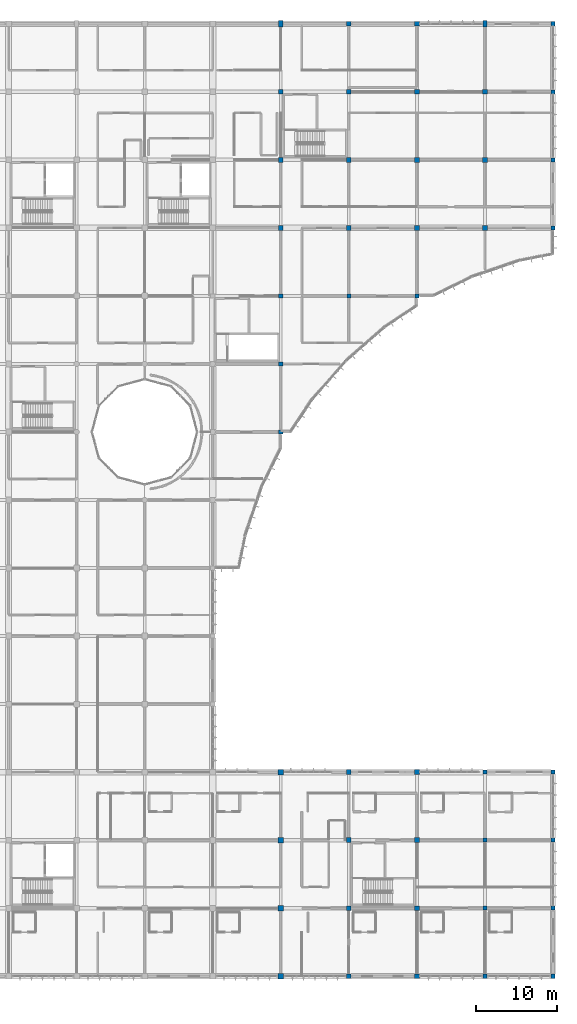
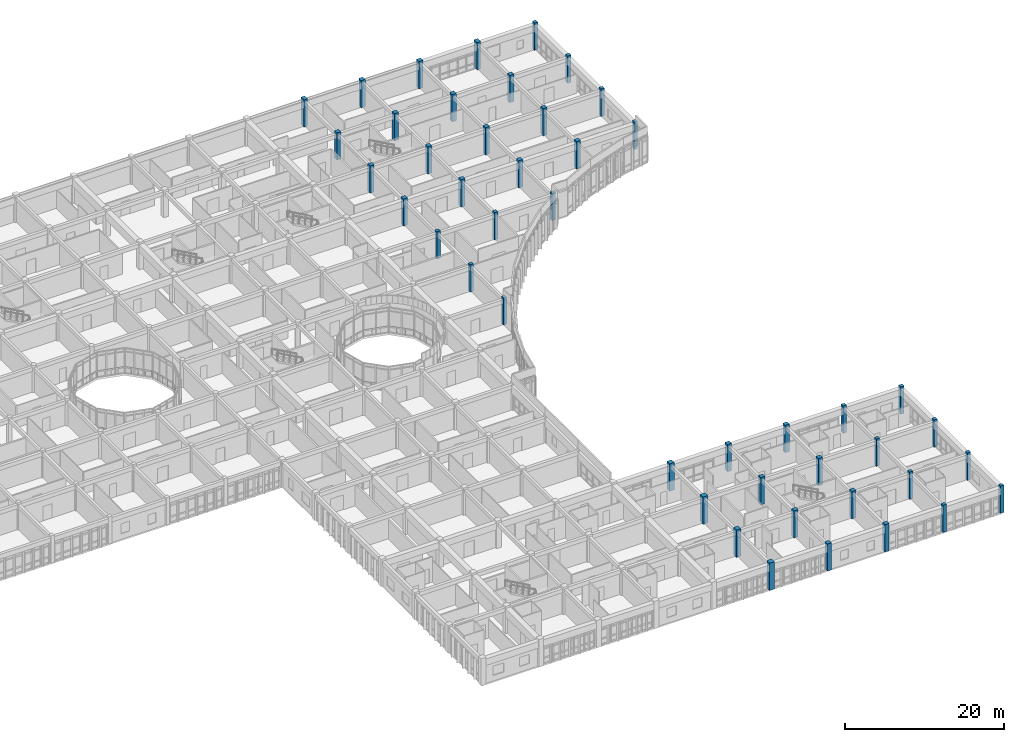
# One storey, part 2 of 119: 45 columns.
"""IFC4 building model written with IfcOpenShell, lengths in metres."""

from ifc_helpers import new_model, si_unit, direction, frame, origin, origin_2d, place, context, subcontext, project, spatial, rectangle, extrude, material, material_profile, profile_set, type_object, element, save


model = new_model("IFC4")

# Units and contexts
model_context = context("Model", 3, precision=1e-05, world=origin(), true_north=direction((0.0, 1.0)))
body_context = subcontext(model_context, "Body", "Model", "MODEL_VIEW")
ifc_project = project(units=[si_unit("LENGTHUNIT", "METRE"), si_unit("AREAUNIT", "SQUARE_METRE"), si_unit("VOLUMEUNIT", "CUBIC_METRE"), si_unit("PLANEANGLEUNIT", "RADIAN"), si_unit("MASSUNIT", "GRAM", prefix="KILO")], contexts=[model_context])

# Site, building, storey
site_placement = place(None, origin())
site = spatial("IfcSite", under=ifc_project, at=site_placement, CompositionType="ELEMENT")
building_placement = place(site_placement, origin())
building = spatial("IfcBuilding", under=site, at=building_placement, Name="Bramfleet General Hospital", CompositionType="ELEMENT")
storey_placement = place(building_placement, frame((0.0, 0.0, 14.39990234375)))
storey = spatial("IfcBuildingStorey", under=building, at=storey_placement, Name="L03", CompositionType="ELEMENT", Elevation=14.39990234375)

# Columns
ifc_material = material(Name="Concrete C40/50", Category="concrete")
ifc_material_profile_1 = material_profile(ifc_material, rectangle(XDim=0.5, YDim=0.75, at=origin_2d()), Name="RC PIL 750x500")
ifc_profile_set_1 = profile_set([ifc_material_profile_1], Name="Concrete C40/50")
column_type_1 = type_object("IfcColumnType", Name="COL-PIL750", PredefinedType="PILASTER", material=ifc_profile_set_1)
for number, where, z_axis, x_axis, name in (
    (1, (134.39990234375, 117.60009765625, 0.0), (0.0, 0.0, 1.0), (1.0, 0.0, 0.0), "Column COL-L03-16-14"),
    (2, (159.60009765625, 117.60009765625, 0.0), (0.0, 0.0, 1.0), (1.0, 0.0, 0.0), "Column COL-L03-19-14"),
):
    element("IfcColumn", number, at=place(storey_placement, frame(where, z_axis=z_axis, x_axis=x_axis)), inside=storey, type_object=column_type_1, Name=name, PredefinedType="PILASTER", context=body_context, shape_type="SweptSolid", body=[
        extrude(rectangle(XDim=0.5, YDim=0.75, at=origin_2d()), origin(), (0.0, 0.0, 1.0), 4.2001953125),
    ])
ifc_material_profile_2 = material_profile(ifc_material, rectangle(XDim=0.5, YDim=0.5, at=origin_2d()), Name="RC COL 500x500")
ifc_profile_set_2 = profile_set([ifc_material_profile_2], Name="Concrete C40/50")
column_type_2 = type_object("IfcColumnType", Name="COL-RC500", PredefinedType="COLUMN", material=ifc_profile_set_2)
for number, where, z_axis, x_axis, name in (
    (3, (134.39990234375, 67.199951171875, 0.0), (0.0, 0.0, 1.0), (1.0, 0.0, 0.0), "Column COL-L03-16-08"),
    (4, (134.39990234375, 75.60009765625, 0.0), (0.0, 0.0, 1.0), (1.0, 0.0, 0.0), "Column COL-L03-16-09"),
    (5, (134.39990234375, 84.0, 0.0), (0.0, 0.0, 1.0), (1.0, 0.0, 0.0), "Column COL-L03-16-10"),
    (6, (142.800048828125, 84.0, 0.0), (0.0, 0.0, 1.0), (1.0, 0.0, 0.0), "Column COL-L03-17-10"),
    (7, (151.199951171875, 84.0, 0.0), (0.0, 0.0, 1.0), (1.0, 0.0, 0.0), "Column COL-L03-18-10"),
    (8, (159.60009765625, 0.0, 0.0), (0.0, 0.0, 1.0), (1.0, 0.0, 0.0), "Column COL-L03-19-00"),
    (9, (159.60009765625, 8.39990234375, 0.0), (0.0, 0.0, 1.0), (1.0, 0.0, 0.0), "Column COL-L03-19-01"),
    (10, (159.60009765625, 16.800048828125, 0.0), (0.0, 0.0, 1.0), (1.0, 0.0, 0.0), "Column COL-L03-19-02"),
    (11, (159.60009765625, 25.199951171875, 0.0), (0.0, 0.0, 1.0), (1.0, 0.0, 0.0), "Column COL-L03-19-03"),
    (12, (168.0, 0.0, 0.0), (0.0, 0.0, 1.0), (1.0, 0.0, 0.0), "Column COL-L03-20-00"),
    (13, (168.0, 8.39990234375, 0.0), (0.0, 0.0, 1.0), (1.0, 0.0, 0.0), "Column COL-L03-20-01"),
    (14, (168.0, 16.800048828125, 0.0), (0.0, 0.0, 1.0), (1.0, 0.0, 0.0), "Column COL-L03-20-02"),
    (15, (168.0, 25.199951171875, 0.0), (0.0, 0.0, 1.0), (1.0, 0.0, 0.0), "Column COL-L03-20-03"),
    (16, (168.0, 92.39990234375, 0.0), (0.0, 0.0, 1.0), (1.0, 0.0, 0.0), "Column COL-L03-20-11"),
    (17, (168.0, 100.800048828125, 0.0), (0.0, 0.0, 1.0), (1.0, 0.0, 0.0), "Column COL-L03-20-12"),
    (18, (168.0, 109.199951171875, 0.0), (0.0, 0.0, 1.0), (1.0, 0.0, 0.0), "Column COL-L03-20-13"),
    (19, (168.0, 117.60009765625, 0.0), (0.0, 0.0, 1.0), (1.0, 0.0, 0.0), "Column COL-L03-20-14"),
):
    element("IfcColumn", number, at=place(storey_placement, frame(where, z_axis=z_axis, x_axis=x_axis)), inside=storey, type_object=column_type_2, Name=name, PredefinedType="COLUMN", context=body_context, shape_type="SweptSolid", body=[
        extrude(rectangle(XDim=0.5, YDim=0.5, at=origin_2d()), origin(), (0.0, 0.0, 1.0), 4.2001953125),
    ])
ifc_material_profile_3 = material_profile(ifc_material, rectangle(XDim=0.60009765625, YDim=0.60009765625, at=origin_2d()), Name="RC COL 600x600")
ifc_profile_set_3 = profile_set([ifc_material_profile_3], Name="Concrete C40/50")
column_type_3 = type_object("IfcColumnType", Name="COL-RC600", PredefinedType="COLUMN", material=ifc_profile_set_3)
for number, where, z_axis, x_axis, name in (
    (20, (134.39990234375, 92.39990234375, 0.0), (0.0, 0.0, 1.0), (1.0, 0.0, 0.0), "Column COL-L03-16-11"),
    (21, (134.39990234375, 100.800048828125, 0.0), (0.0, 0.0, 1.0), (1.0, 0.0, 0.0), "Column COL-L03-16-12"),
    (22, (134.39990234375, 109.199951171875, 0.0), (0.0, 0.0, 1.0), (1.0, 0.0, 0.0), "Column COL-L03-16-13"),
    (23, (142.800048828125, 0.0, 0.0), (0.0, 0.0, 1.0), (1.0, 0.0, 0.0), "Column COL-L03-17-00"),
    (24, (142.800048828125, 8.39990234375, 0.0), (0.0, 0.0, 1.0), (1.0, 0.0, 0.0), "Column COL-L03-17-01"),
    (25, (142.800048828125, 16.800048828125, 0.0), (0.0, 0.0, 1.0), (1.0, 0.0, 0.0), "Column COL-L03-17-02"),
    (26, (142.800048828125, 25.199951171875, 0.0), (0.0, 0.0, 1.0), (1.0, 0.0, 0.0), "Column COL-L03-17-03"),
    (27, (142.800048828125, 92.39990234375, 0.0), (0.0, 0.0, 1.0), (1.0, 0.0, 0.0), "Column COL-L03-17-11"),
    (28, (142.800048828125, 100.800048828125, 0.0), (0.0, 0.0, 1.0), (1.0, 0.0, 0.0), "Column COL-L03-17-12"),
    (29, (142.800048828125, 109.199951171875, 0.0), (0.0, 0.0, 1.0), (1.0, 0.0, 0.0), "Column COL-L03-17-13"),
    (30, (142.800048828125, 117.60009765625, 0.0), (0.0, 0.0, 1.0), (1.0, 0.0, 0.0), "Column COL-L03-17-14"),
    (31, (151.199951171875, 0.0, 0.0), (0.0, 0.0, 1.0), (1.0, 0.0, 0.0), "Column COL-L03-18-00"),
    (32, (151.199951171875, 8.39990234375, 0.0), (0.0, 0.0, 1.0), (1.0, 0.0, 0.0), "Column COL-L03-18-01"),
    (33, (151.199951171875, 16.800048828125, 0.0), (0.0, 0.0, 1.0), (1.0, 0.0, 0.0), "Column COL-L03-18-02"),
    (34, (151.199951171875, 25.199951171875, 0.0), (0.0, 0.0, 1.0), (1.0, 0.0, 0.0), "Column COL-L03-18-03"),
    (35, (151.199951171875, 92.39990234375, 0.0), (0.0, 0.0, 1.0), (1.0, 0.0, 0.0), "Column COL-L03-18-11"),
    (36, (151.199951171875, 100.800048828125, 0.0), (0.0, 0.0, 1.0), (1.0, 0.0, 0.0), "Column COL-L03-18-12"),
    (37, (151.199951171875, 109.199951171875, 0.0), (0.0, 0.0, 1.0), (1.0, 0.0, 0.0), "Column COL-L03-18-13"),
    (38, (151.199951171875, 117.60009765625, 0.0), (0.0, 0.0, 1.0), (1.0, 0.0, 0.0), "Column COL-L03-18-14"),
    (39, (159.60009765625, 92.39990234375, 0.0), (0.0, 0.0, 1.0), (1.0, 0.0, 0.0), "Column COL-L03-19-11"),
    (40, (159.60009765625, 100.800048828125, 0.0), (0.0, 0.0, 1.0), (1.0, 0.0, 0.0), "Column COL-L03-19-12"),
    (41, (159.60009765625, 109.199951171875, 0.0), (0.0, 0.0, 1.0), (1.0, 0.0, 0.0), "Column COL-L03-19-13"),
):
    element("IfcColumn", number, at=place(storey_placement, frame(where, z_axis=z_axis, x_axis=x_axis)), inside=storey, type_object=column_type_3, Name=name, PredefinedType="COLUMN", context=body_context, shape_type="SweptSolid", body=[
        extrude(rectangle(XDim=0.60009765625, YDim=0.60009765625, at=origin_2d()), origin(), (0.0, 0.0, 1.0), 4.2001953125),
    ])
ifc_material_profile_4 = material_profile(ifc_material, rectangle(XDim=0.699951171875, YDim=0.699951171875, at=origin_2d()), Name="RC COL 700x700")
ifc_profile_set_4 = profile_set([ifc_material_profile_4], Name="Concrete C40/50")
column_type_4 = type_object("IfcColumnType", Name="COL-RC700", PredefinedType="COLUMN", material=ifc_profile_set_4)
for number, where, z_axis, x_axis, name in (
    (42, (134.39990234375, 0.0, 0.0), (0.0, 0.0, 1.0), (1.0, 0.0, 0.0), "Column COL-L03-16-00"),
    (43, (134.39990234375, 8.39990234375, 0.0), (0.0, 0.0, 1.0), (1.0, 0.0, 0.0), "Column COL-L03-16-01"),
    (44, (134.39990234375, 16.800048828125, 0.0), (0.0, 0.0, 1.0), (1.0, 0.0, 0.0), "Column COL-L03-16-02"),
    (45, (134.39990234375, 25.199951171875, 0.0), (0.0, 0.0, 1.0), (1.0, 0.0, 0.0), "Column COL-L03-16-03"),
):
    element("IfcColumn", number, at=place(storey_placement, frame(where, z_axis=z_axis, x_axis=x_axis)), inside=storey, type_object=column_type_4, Name=name, PredefinedType="COLUMN", context=body_context, shape_type="SweptSolid", body=[
        extrude(rectangle(XDim=0.699951171875, YDim=0.699951171875, at=origin_2d()), origin(), (0.0, 0.0, 1.0), 4.2001953125),
    ])

save(model, "model.ifc")
